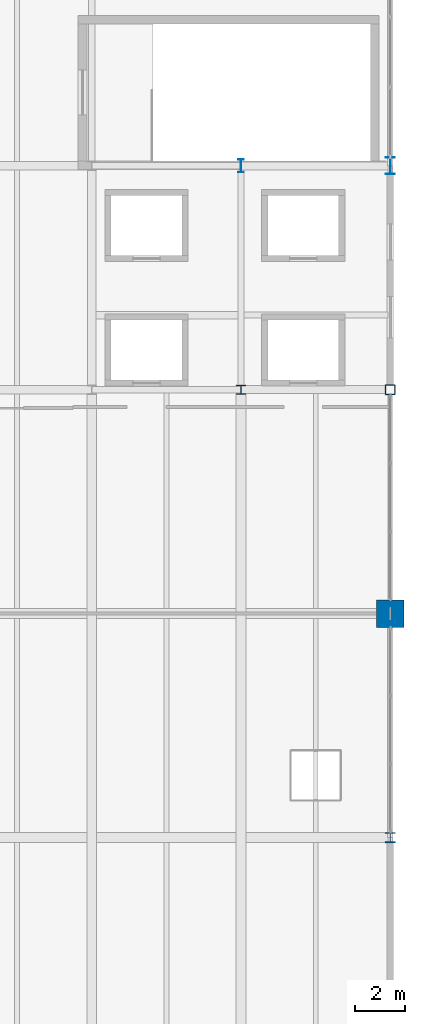
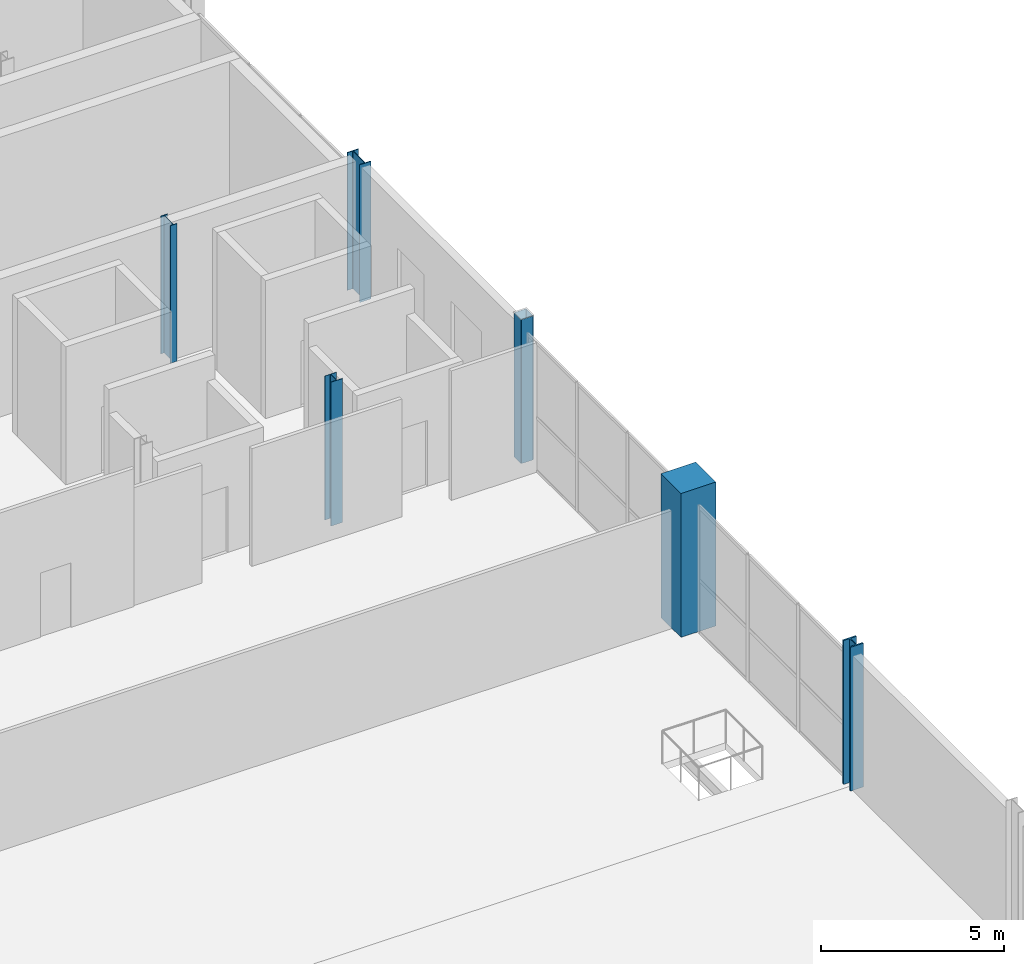
# One storey, part 4 of 29: 6 columns.
"""IFC4 building model written with IfcOpenShell, lengths in metres."""

from ifc_helpers import new_model, si_unit, direction, frame, origin, origin_2d, place, context, subcontext, project, spatial, rectangle, hollow_rectangle, i_section, extrude, material, material_profile, profile_set, type_object, element, save


model = new_model("IFC4")

# Units and contexts
model_context = context("Model", 3, precision=1e-05, world=origin(), true_north=direction((0.0, 1.0)))
body_context = subcontext(model_context, "Body", "Model", "MODEL_VIEW")
ifc_project = project(units=[si_unit("LENGTHUNIT", "METRE"), si_unit("AREAUNIT", "SQUARE_METRE"), si_unit("VOLUMEUNIT", "CUBIC_METRE"), si_unit("PLANEANGLEUNIT", "RADIAN"), si_unit("MASSUNIT", "GRAM", prefix="KILO")], contexts=[model_context])

# Site, building, storey
site_placement = place(None, origin())
site = spatial("IfcSite", under=ifc_project, at=site_placement, CompositionType="ELEMENT")
building_placement = place(site_placement, origin())
building = spatial("IfcBuilding", under=site, at=building_placement, Name="Qamarlyn Nura Convention Centre", CompositionType="ELEMENT")
storey_placement = place(building_placement, frame((0.0, 0.0, 25.199951171875)))
storey = spatial("IfcBuildingStorey", under=building, at=storey_placement, Name="L05", CompositionType="ELEMENT", Elevation=25.199951171875)

# Columns
ifc_material_1 = material(Name="Steel ASTM A500 Grade C", Category="steel")
ifc_material_profile_1 = material_profile(ifc_material_1, hollow_rectangle(XDim=0.39990234375, YDim=0.39990234375, WallThickness=0.01611328125, InnerFilletRadius=0.01611328125, OuterFilletRadius=0.031982421875, at=origin_2d()), Name="HSS400X400X16")
ifc_profile_set_1 = profile_set([ifc_material_profile_1], Name="Steel ASTM A500 Grade C")
column_type_1 = type_object("IfcColumnType", Name="COL-HSS-1", PredefinedType="COLUMN", material=ifc_profile_set_1)
column_1_placement = place(storey_placement, frame((192.0, 54.0, 0.0), z_axis=(0.0, 0.0, 1.0), x_axis=(1.0, 0.0, 0.0)))
element("IfcColumn", 1, at=column_1_placement, inside=storey, type_object=column_type_1, Name="L05 column 18/G", PredefinedType="COLUMN", context=body_context, shape_type="SweptSolid", body=[
    extrude(hollow_rectangle(XDim=0.39990234375, YDim=0.39990234375, WallThickness=0.01611328125, InnerFilletRadius=0.01611328125, OuterFilletRadius=0.031982421875, at=origin_2d()), origin(), (0.0, 0.0, 1.0), 4.800048828125),
])
ifc_material_2 = material(Name="Steel ASTM A992", Category="steel")
ifc_material_profile_2 = material_profile(ifc_material_2, i_section(OverallWidth=0.408935546875, OverallDepth=0.425048828125, WebThickness=0.030517578125, FlangeThickness=0.049072265625, FilletRadius=0.02001953125, at=origin_2d()), Name="W360X421")
ifc_profile_set_2 = profile_set([ifc_material_profile_2], Name="Steel ASTM A992")
column_type_2 = type_object("IfcColumnType", Name="COL-MEGA-1", PredefinedType="COLUMN", material=ifc_profile_set_2)
column_2_placement = place(storey_placement, frame((192.0, 36.0, 0.0), z_axis=(0.0, 0.0, 1.0), x_axis=(1.0, 0.0, 0.0)))
element("IfcColumn", 2, at=column_2_placement, inside=storey, type_object=column_type_2, Name="L05 column 18/E", PredefinedType="COLUMN", context=body_context, shape_type="SweptSolid", body=[
    extrude(i_section(OverallWidth=0.408935546875, OverallDepth=0.425048828125, WebThickness=0.030517578125, FlangeThickness=0.049072265625, FilletRadius=0.02001953125, at=origin_2d()), origin(), (0.0, 0.0, 1.0), 4.800048828125),
])
ifc_material_3 = material(Name="Concrete C50/60", Category="concrete")
ifc_material_profile_3 = material_profile(ifc_material_3, rectangle(XDim=1.10009765625, YDim=1.10009765625, at=origin_2d()), Name="RC 1100x1100")
ifc_profile_set_3 = profile_set([ifc_material_profile_3], Name="Concrete C50/60")
column_type_3 = type_object("IfcColumnType", Name="COL-MEGA-2", PredefinedType="COLUMN", material=ifc_profile_set_3)
column_3_placement = place(storey_placement, frame((192.0, 45.0, 0.0), z_axis=(0.0, 0.0, 1.0), x_axis=(1.0, 0.0, 0.0)))
element("IfcColumn", 3, at=column_3_placement, inside=storey, type_object=column_type_3, Name="L05 column 18/F", PredefinedType="COLUMN", context=body_context, shape_type="SweptSolid", body=[
    extrude(rectangle(XDim=1.10009765625, YDim=1.10009765625, at=origin_2d()), origin(), (0.0, 0.0, 1.0), 4.800048828125),
])
ifc_material_profile_4 = material_profile(ifc_material_2, i_section(OverallWidth=0.368896484375, OverallDepth=0.35595703125, WebThickness=0.01123046875, FlangeThickness=0.01806640625, FilletRadius=0.014892578125, at=origin_2d()), Name="W360X134")
ifc_profile_set_4 = profile_set([ifc_material_profile_4], Name="Steel ASTM A992")
column_type_4 = type_object("IfcColumnType", Name="COL-WING-3", PredefinedType="COLUMN", material=ifc_profile_set_4)
column_4_placement = place(storey_placement, frame((186.0, 54.0, 0.0), z_axis=(0.0, 0.0, 1.0), x_axis=(1.0, 0.0, 0.0)))
element("IfcColumn", 4, at=column_4_placement, inside=storey, type_object=column_type_4, Name="L05 column 17/G", PredefinedType="COLUMN", context=body_context, shape_type="SweptSolid", body=[
    extrude(i_section(OverallWidth=0.368896484375, OverallDepth=0.35595703125, WebThickness=0.01123046875, FlangeThickness=0.01806640625, FilletRadius=0.014892578125, at=origin_2d()), origin(), (0.0, 0.0, 1.0), 4.800048828125),
])
ifc_material_profile_5 = material_profile(ifc_material_2, i_section(OverallWidth=0.35498046875, OverallDepth=0.695068359375, WebThickness=0.015380859375, FlangeThickness=0.02490234375, FilletRadius=0.01806640625, at=origin_2d()), Name="W690X217")
ifc_profile_set_5 = profile_set([ifc_material_profile_5], Name="Steel ASTM A992")
column_type_5 = type_object("IfcColumnType", Name="COL-WING-5", PredefinedType="COLUMN", material=ifc_profile_set_5)
column_5_placement = place(storey_placement, frame((192.0, 63.0, 0.0), z_axis=(0.0, 0.0, 1.0), x_axis=(1.0, 0.0, 0.0)))
element("IfcColumn", 5, at=column_5_placement, inside=storey, type_object=column_type_5, Name="L05 column 18/H", PredefinedType="COLUMN", context=body_context, shape_type="SweptSolid", body=[
    extrude(i_section(OverallWidth=0.35498046875, OverallDepth=0.695068359375, WebThickness=0.015380859375, FlangeThickness=0.02490234375, FilletRadius=0.01806640625, at=origin_2d()), origin(), (0.0, 0.0, 1.0), 4.594970703125),
])
ifc_material_profile_6 = material_profile(ifc_material_2, i_section(OverallWidth=0.2109375, OverallDepth=0.5390625, WebThickness=0.01171875, FlangeThickness=0.018798828125, FilletRadius=0.013916015625, at=origin_2d()), Name="W530X109")
ifc_profile_set_6 = profile_set([ifc_material_profile_6], Name="Steel ASTM A992")
column_type_6 = type_object("IfcColumnType", Name="COL-WING-7", PredefinedType="COLUMN", material=ifc_profile_set_6)
column_6_placement = place(storey_placement, frame((186.0, 63.0, 0.0), z_axis=(0.0, 0.0, 1.0), x_axis=(1.0, 0.0, 0.0)))
element("IfcColumn", 6, at=column_6_placement, inside=storey, type_object=column_type_6, Name="L05 column 17/H", PredefinedType="COLUMN", context=body_context, shape_type="SweptSolid", body=[
    extrude(i_section(OverallWidth=0.2109375, OverallDepth=0.5390625, WebThickness=0.01171875, FlangeThickness=0.018798828125, FilletRadius=0.013916015625, at=origin_2d()), origin(), (0.0, 0.0, 1.0), 4.594970703125),
])

save(model, "model.ifc")
